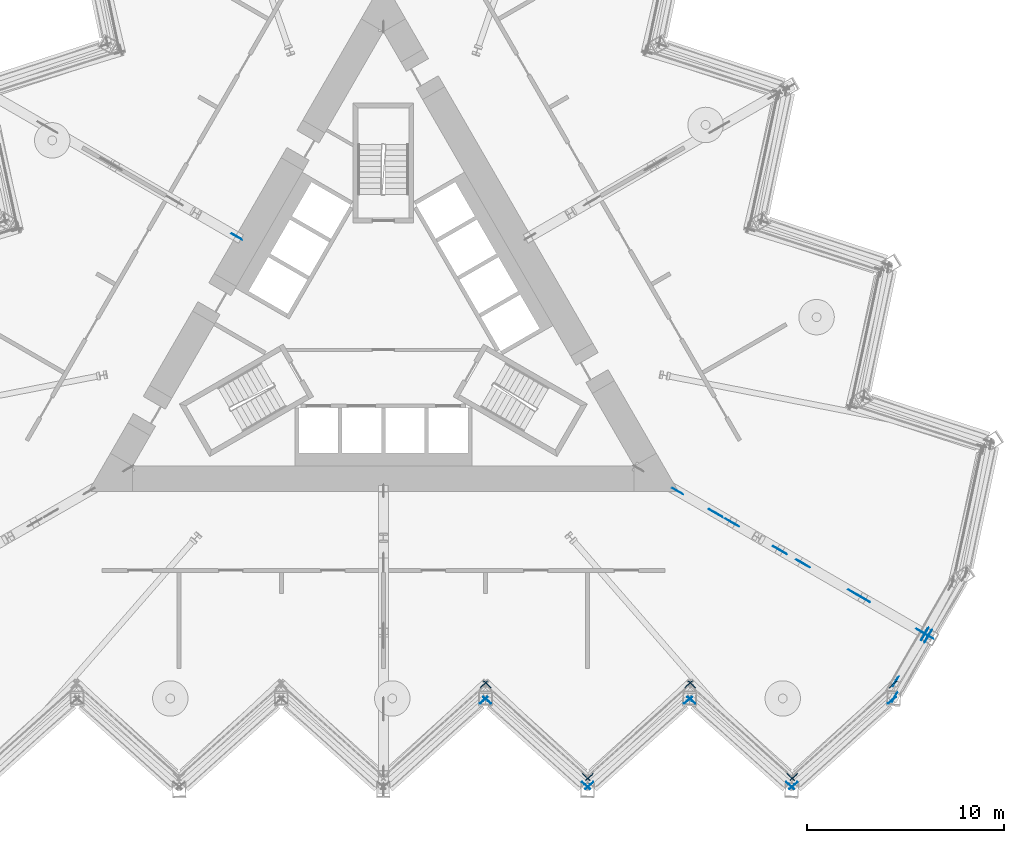
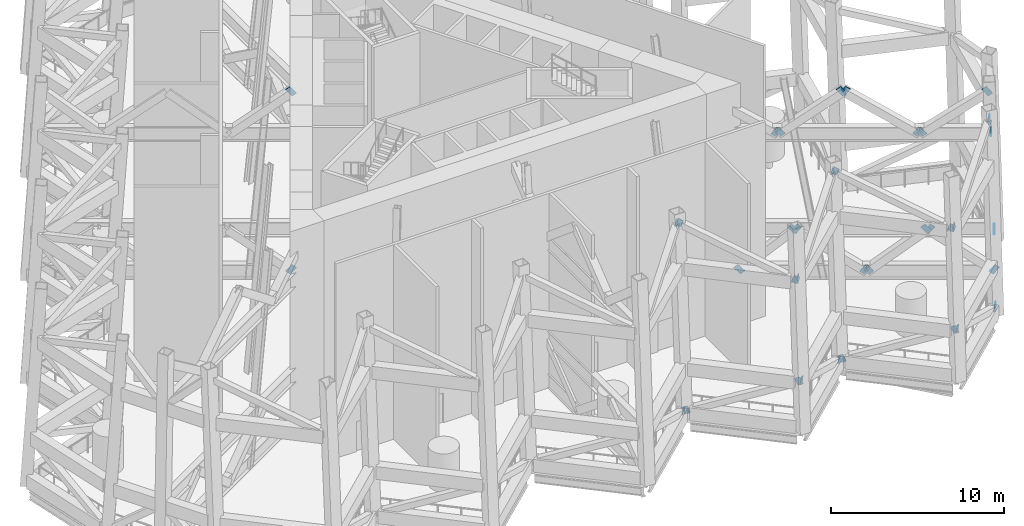
# One storey, part 12 of 19: 41 discrete accessories.
"""IFC4 building model written with IfcOpenShell, lengths in metres."""

from ifc_helpers import new_model, si_unit, direction, frame, origin, origin_2d, place, context, subcontext, project, spatial, rectangle, extrude, material, material_profile, profile_set, type_object, element, save


model = new_model("IFC4")

# Units and contexts
model_context = context("Model", 3, precision=1e-05, world=origin(), true_north=direction((0.0, 1.0)))
body_context = subcontext(model_context, "Body", "Model", "MODEL_VIEW")
ifc_project = project(units=[si_unit("LENGTHUNIT", "METRE"), si_unit("AREAUNIT", "SQUARE_METRE"), si_unit("VOLUMEUNIT", "CUBIC_METRE"), si_unit("PLANEANGLEUNIT", "RADIAN"), si_unit("MASSUNIT", "GRAM", prefix="KILO")], contexts=[model_context])

# Site, building, storey
site_placement = place(None, origin())
site = spatial("IfcSite", under=ifc_project, at=site_placement, CompositionType="ELEMENT")
building_placement = place(site_placement, origin())
building = spatial("IfcBuilding", under=site, at=building_placement, Name="Cormorant Prow Tower", CompositionType="ELEMENT")
storey_placement = place(building_placement, frame((0.0, 0.0, 287.800048828125)))
storey = spatial("IfcBuildingStorey", under=building, at=storey_placement, Name="L64", CompositionType="ELEMENT", Elevation=287.800048828125)

# Discrete accessories
ifc_material_1 = material(Name="Structural steel ASTM A500 Gr C", Category="steel")
ifc_material_profile_1 = material_profile(ifc_material_1, rectangle(XDim=0.031982421875, YDim=0.506103515625, at=origin_2d()), Name="Gusset plate 32x506")
ifc_profile_set_1 = profile_set([ifc_material_profile_1], Name="Structural steel ASTM A500 Gr C")
discrete_accessory_type_1 = type_object("IfcDiscreteAccessoryType", Name="Gusset plate 32x506", PredefinedType="BRACKET", material=ifc_profile_set_1)
for number, where, z_axis, x_axis, name in (
    (1, (4.980712890625, -19.366455078125, 0.5703125), (0.69306171568, 0.59883882382, -0.401319724588), (-0.653798404292, 0.756668782589, 0.0), "Gusset plate GP2 L64.S05.g0"),
    (2, (4.996826171875, -18.5634765625, 13.133544921875), (0.67265693532, 0.630092544184, 0.387963958545), (-0.683638869722, 0.729820454499, 0.0), "Gusset plate GP2 L64.S05.t1.g1"),
):
    element("IfcDiscreteAccessory", number, at=place(storey_placement, frame(where, z_axis=z_axis, x_axis=x_axis)), inside=storey, type_object=discrete_accessory_type_1, Name=name, PredefinedType="BRACKET", context=body_context, shape_type="SweptSolid", body=[
        extrude(rectangle(XDim=0.031982421875, YDim=0.506103515625, at=origin_2d()), origin(), (0.0, 0.0, 1.0), 0.349853515625),
    ])
discrete_accessory_1_placement = place(storey_placement, frame((5.396728515625, -19.366455078125, 0.570068359375), z_axis=(-0.693979928675, 0.59842691337, -0.40034621011), x_axis=(-0.653045010235, -0.757319096951, 0.0)))
element("IfcDiscreteAccessory", 3, at=discrete_accessory_1_placement, inside=storey, type_object=discrete_accessory_type_1, Name="Gusset plate GP2 L64.S06.g0", PredefinedType="BRACKET", context=body_context, shape_type="SweptSolid", body=[
    extrude(rectangle(XDim=0.031982421875, YDim=0.506103515625, at=origin_2d()), origin(), (0.0, 0.0, 1.0), 0.35009765625),
])
discrete_accessory_2_placement = place(storey_placement, frame((10.173828125, -23.49072265625, 3.329833984375), z_axis=(0.693618104691, -0.598716633627, 0.400540032286), x_axis=(0.653421571001, 0.75699422095, 0.0)))
element("IfcDiscreteAccessory", 4, at=discrete_accessory_2_placement, inside=storey, type_object=discrete_accessory_type_1, Name="Gusset plate GP2 L64.S06.g1", PredefinedType="BRACKET", context=body_context, shape_type="SweptSolid", body=[
    extrude(rectangle(XDim=0.031982421875, YDim=0.506103515625, at=origin_2d()), origin(), (0.0, 0.0, 1.0), 0.349853515625),
])
discrete_accessory_3_placement = place(storey_placement, frame((10.190673828125, -23.054443359375, 10.366455078125), z_axis=(0.672474749108, -0.629921886353, -0.388556468105), x_axis=(0.683638869722, 0.729820454499, 0.0)))
element("IfcDiscreteAccessory", 5, at=discrete_accessory_3_placement, inside=storey, type_object=discrete_accessory_type_1, Name="Gusset plate GP2 L64.S06.t1.g0", PredefinedType="BRACKET", context=body_context, shape_type="SweptSolid", body=[
    extrude(rectangle(XDim=0.031982421875, YDim=0.506103515625, at=origin_2d()), origin(), (0.0, 0.0, 1.0), 0.35009765625),
])
for number, where, z_axis, x_axis, name in (
    (6, (5.400146484375, -18.5634765625, 13.133544921875), (-0.67265693532, 0.630092544184, 0.387963958545), (-0.683638869722, -0.729820454499, 0.0), "Gusset plate GP2 L64.S06.t1.g1"),
    (7, (15.35791015625, -19.36669921875, 0.5703125), (0.692772057898, 0.599286201143, -0.401151997272), (-0.654234361315, 0.756291875187, 0.0), "Gusset plate GP2 L64.S07.g0"),
    (8, (10.589599609375, -23.490478515625, 3.32958984375), (-0.692772057898, -0.599286201143, 0.401151997272), (0.654234361315, -0.756291875187, 0.0), "Gusset plate GP2 L64.S07.g1"),
):
    element("IfcDiscreteAccessory", number, at=place(storey_placement, frame(where, z_axis=z_axis, x_axis=x_axis)), inside=storey, type_object=discrete_accessory_type_1, Name=name, PredefinedType="BRACKET", context=body_context, shape_type="SweptSolid", body=[
        extrude(rectangle(XDim=0.031982421875, YDim=0.506103515625, at=origin_2d()), origin(), (0.0, 0.0, 1.0), 0.349853515625),
    ])
discrete_accessory_4_placement = place(storey_placement, frame((10.59423828125, -23.0546875, 10.366455078125), z_axis=(-0.673152027664, -0.629205314977, -0.388544745501), x_axis=(0.682857528904, -0.730551569171, 0.0)))
element("IfcDiscreteAccessory", 9, at=discrete_accessory_4_placement, inside=storey, type_object=discrete_accessory_type_1, Name="Gusset plate GP2 L64.S07.t1.g0", PredefinedType="BRACKET", context=body_context, shape_type="SweptSolid", body=[
    extrude(rectangle(XDim=0.031982421875, YDim=0.506103515625, at=origin_2d()), origin(), (0.0, 0.0, 1.0), 0.35009765625),
])
discrete_accessory_5_placement = place(storey_placement, frame((15.3935546875, -18.563232421875, 13.133544921875), z_axis=(0.673334386355, 0.629375768386, 0.387952247475), x_axis=(-0.682857528904, 0.730551569171, 0.0)))
element("IfcDiscreteAccessory", 10, at=discrete_accessory_5_placement, inside=storey, type_object=discrete_accessory_type_1, Name="Gusset plate GP2 L64.S07.t1.g1", PredefinedType="BRACKET", context=body_context, shape_type="SweptSolid", body=[
    extrude(rectangle(XDim=0.031982421875, YDim=0.506103515625, at=origin_2d()), origin(), (0.0, 0.0, 1.0), 0.349853515625),
])
for number, where, z_axis, x_axis, name in (
    (11, (15.77392578125, -19.366455078125, 0.570068359375), (-0.693979928675, 0.59842691337, -0.40034621011), (-0.653045010235, -0.757319096951, 0.0), "Gusset plate GP2 L64.S08.g0"),
    (12, (20.555419921875, -23.49072265625, 3.329833984375), (0.693979928675, -0.59842691337, 0.40034621011), (0.653045010235, 0.757319096951, 0.0), "Gusset plate GP2 L64.S08.g1"),
    (13, (20.5830078125, -23.054443359375, 10.366455078125), (0.672474749108, -0.629921886353, -0.388556468105), (0.683638869722, 0.729820454499, 0.0), "Gusset plate GP2 L64.S08.t1.g0"),
):
    element("IfcDiscreteAccessory", number, at=place(storey_placement, frame(where, z_axis=z_axis, x_axis=x_axis)), inside=storey, type_object=discrete_accessory_type_1, Name=name, PredefinedType="BRACKET", context=body_context, shape_type="SweptSolid", body=[
        extrude(rectangle(XDim=0.031982421875, YDim=0.506103515625, at=origin_2d()), origin(), (0.0, 0.0, 1.0), 0.35009765625),
    ])
discrete_accessory_6_placement = place(storey_placement, frame((15.797119140625, -18.5634765625, 13.13330078125), z_axis=(-0.672092356992, 0.630217443784, 0.388738777617), x_axis=(-0.684016717086, -0.72946633284, 0.0)))
element("IfcDiscreteAccessory", 14, at=discrete_accessory_6_placement, inside=storey, type_object=discrete_accessory_type_1, Name="Gusset plate GP2 L64.S08.t1.g1", PredefinedType="BRACKET", context=body_context, shape_type="SweptSolid", body=[
    extrude(rectangle(XDim=0.031982421875, YDim=0.506103515625, at=origin_2d()), origin(), (0.0, 0.0, 1.0), 0.349853515625),
])
for number, where, z_axis, x_axis, name in (
    (15, (25.735107421875, -19.36669921875, 0.5703125), (0.692482426225, 0.599733017677, -0.400984285075), (-0.654669667139, 0.755915092406, 0.0), "Gusset plate GP2 L64.S09.g0"),
    (16, (20.971435546875, -23.490478515625, 3.32958984375), (-0.692482426225, -0.599733017677, 0.400984285075), (0.654669667139, -0.755915092406, 0.0), "Gusset plate GP2 L64.S09.g1"),
):
    element("IfcDiscreteAccessory", number, at=place(storey_placement, frame(where, z_axis=z_axis, x_axis=x_axis)), inside=storey, type_object=discrete_accessory_type_1, Name=name, PredefinedType="BRACKET", context=body_context, shape_type="SweptSolid", body=[
        extrude(rectangle(XDim=0.031982421875, YDim=0.506103515625, at=origin_2d()), origin(), (0.0, 0.0, 1.0), 0.35009765625),
    ])
for number, where, z_axis, x_axis, name in (
    (17, (20.986572265625, -23.0546875, 10.3662109375), (-0.673334386355, -0.629375768386, -0.387952247475), (0.682857528904, -0.730551569171, 0.0), "Gusset plate GP2 L64.S09.t1.g0"),
    (18, (25.79052734375, -18.563232421875, 13.133544921875), (0.673334386355, 0.629375768386, 0.387952247475), (-0.682857528904, 0.730551569171, 0.0), "Gusset plate GP2 L64.S09.t1.g1"),
    (19, (26.053955078125, -18.983642578125, 0.640625), (-0.370440003742, -0.677395939047, -0.635538311505), (0.877377082979, -0.479801473802, 0.0), "Gusset plate GP2 L64.ESE00.g0"),
    (20, (27.58056640625, -16.19091796875, 3.25927734375), (0.370440003742, 0.677395939047, 0.635538311505), (-0.877377082979, 0.479801473802, 0.0), "Gusset plate GP2 L64.ESE00.g1"),
):
    element("IfcDiscreteAccessory", number, at=place(storey_placement, frame(where, z_axis=z_axis, x_axis=x_axis)), inside=storey, type_object=discrete_accessory_type_1, Name=name, PredefinedType="BRACKET", context=body_context, shape_type="SweptSolid", body=[
        extrude(rectangle(XDim=0.031982421875, YDim=0.506103515625, at=origin_2d()), origin(), (0.0, 0.0, 1.0), 0.349853515625),
    ])
discrete_accessory_7_placement = place(storey_placement, frame((27.41455078125, -16.0693359375, 10.465087890625), z_axis=(0.366086177924, 0.59340826174, -0.716831601725), x_axis=(-0.851074046663, 0.525045680961, 0.0)))
element("IfcDiscreteAccessory", 21, at=discrete_accessory_7_placement, inside=storey, type_object=discrete_accessory_type_1, Name="Gusset plate GP2 L64.ESE00.t1.g0", PredefinedType="BRACKET", context=body_context, shape_type="SweptSolid", body=[
    extrude(rectangle(XDim=0.031982421875, YDim=0.506103515625, at=origin_2d()), origin(), (0.0, 0.0, 1.0), 0.35009765625),
])
discrete_accessory_8_placement = place(storey_placement, frame((26.102294921875, -18.196533203125, 13.034912109375), z_axis=(-0.36623766487, -0.592956219313, 0.717128227592), x_axis=(0.850797997359, -0.525492880722, 0.0)))
element("IfcDiscreteAccessory", 22, at=discrete_accessory_8_placement, inside=storey, type_object=discrete_accessory_type_1, Name="Gusset plate GP2 L64.ESE00.t1.g1", PredefinedType="BRACKET", context=body_context, shape_type="SweptSolid", body=[
    extrude(rectangle(XDim=0.031982421875, YDim=0.506103515625, at=origin_2d()), origin(), (0.0, 0.0, 1.0), 0.349853515625),
])
for number, where, z_axis, x_axis, name in (
    (23, (27.81201171875, -15.789794921875, 3.25927734375), (-0.401063480674, -0.659836613422, 0.635424053729), (0.854529802845, -0.519402364309, 0.0), "Gusset plate GP2 L64.ESE01.g1"),
    (24, (27.623779296875, -15.70703125, 10.465087890625), (-0.33120480415, -0.613600479268, -0.716796923508), (0.879989000206, -0.474994062611, 0.0), "Gusset plate GP2 L64.ESE01.t1.g0"),
):
    element("IfcDiscreteAccessory", number, at=place(storey_placement, frame(where, z_axis=z_axis, x_axis=x_axis)), inside=storey, type_object=discrete_accessory_type_1, Name=name, PredefinedType="BRACKET", context=body_context, shape_type="SweptSolid", body=[
        extrude(rectangle(XDim=0.031982421875, YDim=0.506103515625, at=origin_2d()), origin(), (0.0, 0.0, 1.0), 0.35009765625),
    ])
ifc_material_2 = material(Name="Structural steel ASTM A500 Gr C", Category="steel")
ifc_material_profile_2 = material_profile(ifc_material_2, rectangle(XDim=0.031982421875, YDim=0.60791015625, at=origin_2d()), Name="Gusset plate 32x608")
ifc_profile_set_2 = profile_set([ifc_material_profile_2], Name="Structural steel ASTM A500 Gr C")
discrete_accessory_type_2 = type_object("IfcDiscreteAccessoryType", Name="Gusset plate 32x608", PredefinedType="BRACKET", material=ifc_profile_set_2)
for number, where, z_axis, x_axis, name in (
    (25, (-7.573974609375, 4.372802734375, 0.686279296875), (0.679175372225, -0.391885584385, -0.620601726161), (0.499773776046, 0.866155974855, 0.0), "Gusset plate GP1 L64.03.1.g0"),
    (26, (-7.5712890625, 4.371337890625, 13.010009765625), (0.670889592158, -0.387051687783, 0.632533118594), (0.49972245349, 0.866185586049, 0.0), "Gusset plate GP1 L64.03.1.t1.g0"),
    (27, (15.06201171875, -8.696044921875, 0.7021484375), (-0.639689517962, 0.369722404057, -0.673871400601), (-0.50040343364, -0.865792355939, 0.0), "Gusset plate GP1 L64.09.1.g0"),
):
    element("IfcDiscreteAccessory", number, at=place(storey_placement, frame(where, z_axis=z_axis, x_axis=x_axis)), inside=storey, type_object=discrete_accessory_type_2, Name=name, PredefinedType="BRACKET", context=body_context, shape_type="SweptSolid", body=[
        extrude(rectangle(XDim=0.031982421875, YDim=0.60791015625, at=origin_2d()), origin(), (0.0, 0.0, 1.0), 0.35009765625),
    ])
discrete_accessory_9_placement = place(storey_placement, frame((17.530029296875, -10.120849609375, 3.298095703125), z_axis=(0.639990283115, -0.369896237787, 0.673490319745), x_axis=(0.50040343364, 0.865792355939, 0.0)))
element("IfcDiscreteAccessory", 28, at=discrete_accessory_9_placement, inside=storey, type_object=discrete_accessory_type_2, Name="Gusset plate GP1 L64.09.1.g1", PredefinedType="BRACKET", context=body_context, shape_type="SweptSolid", body=[
    extrude(rectangle(XDim=0.031982421875, YDim=0.60791015625, at=origin_2d()), origin(), (0.0, 0.0, 1.0), 0.349853515625),
])
for number, where, z_axis, x_axis, name in (
    (29, (17.9326171875, -10.353515625, 3.324462890625), (-0.702173814992, 0.405824389598, 0.585028630366), (-0.500392188436, -0.86579885525, 0.0), "Gusset plate GP1 L64.09.2.g0"),
    (30, (21.112548828125, -12.189208984375, 0.675537109375), (0.702460261613, -0.40598994266, -0.584569711253), (0.500392188436, 0.86579885525, 0.0), "Gusset plate GP1 L64.09.2.g1"),
    (31, (21.52099609375, -12.425048828125, 0.69482421875), (-0.659221220334, 0.380185783156, -0.64875739144), (-0.499590185398, -0.866261881104, 0.0), "Gusset plate GP1 L64.09.3.g0"),
    (32, (24.173095703125, -13.956298828125, 3.305419921875), (0.659046295372, -0.380782303993, 0.648585243065), (0.500277597875, 0.865865073245, 0.0), "Gusset plate GP1 L64.09.3.g1"),
    (33, (24.577392578125, -14.189697265625, 3.318115234375), (-0.688349294507, 0.397526948196, 0.606751657772), (-0.500102178127, -0.865966403178, 0.0), "Gusset plate GP1 L64.09.4.g0"),
    (34, (27.56982421875, -15.91748046875, 0.68212890625), (0.688349294507, -0.397526948196, -0.606751657772), (0.500102178127, 0.865966403178, 0.0), "Gusset plate GP1 L64.09.4.g1"),
    (35, (16.667236328125, -9.622802734375, 10.36279296875), (0.726876879185, -0.419942304481, -0.543413712942), (0.500249908544, 0.865881070934, 0.0), "Gusset plate GP1 L64.09.1.t1.g1"),
    (36, (17.088623046875, -9.8662109375, 10.386474609375), (-0.678019984355, 0.391326348995, -0.622215870416), (-0.499876722092, -0.86609656662, 0.0), "Gusset plate GP1 L64.09.2.t1.g0"),
    (37, (19.94775390625, -11.516845703125, 13.012939453125), (0.6777257317, -0.391156517988, 0.622643084782), (0.499876722092, 0.86609656662, 0.0), "Gusset plate GP1 L64.09.2.t1.g1"),
    (38, (20.365966796875, -11.75830078125, 13.031005859375), (-0.715617253507, 0.413607243011, 0.562868541501), (-0.500404123441, -0.865791957252, 0.0), "Gusset plate GP1 L64.09.3.t1.g0"),
):
    element("IfcDiscreteAccessory", number, at=place(storey_placement, frame(where, z_axis=z_axis, x_axis=x_axis)), inside=storey, type_object=discrete_accessory_type_2, Name=name, PredefinedType="BRACKET", context=body_context, shape_type="SweptSolid", body=[
        extrude(rectangle(XDim=0.031982421875, YDim=0.60791015625, at=origin_2d()), origin(), (0.0, 0.0, 1.0), 0.35009765625),
    ])
discrete_accessory_10_placement = place(storey_placement, frame((23.756103515625, -13.715576171875, 10.368408203125), z_axis=(0.715898189732, -0.413769616483, -0.562391755287), x_axis=(0.500404123441, 0.865791957252, 0.0)))
element("IfcDiscreteAccessory", 39, at=discrete_accessory_10_placement, inside=storey, type_object=discrete_accessory_type_2, Name="Gusset plate GP1 L64.09.3.t1.g1", PredefinedType="BRACKET", context=body_context, shape_type="SweptSolid", body=[
    extrude(rectangle(XDim=0.031982421875, YDim=0.60791015625, at=origin_2d()), origin(), (0.0, 0.0, 1.0), 0.349853515625),
])
for number, where, z_axis, x_axis, name in (
    (40, (24.1787109375, -13.95947265625, 10.3798828125), (-0.692579266656, 0.399645437859, -0.600514349034), (-0.499797962495, -0.866142018774, 0.0), "Gusset plate GP1 L64.09.4.t1.g0"),
    (41, (27.224609375, -15.718017578125, 13.019775390625), (0.692675979203, -0.400398803688, 0.599900646641), (0.500451896662, 0.865764343876, 0.0), "Gusset plate GP1 L64.09.4.t1.g1"),
):
    element("IfcDiscreteAccessory", number, at=place(storey_placement, frame(where, z_axis=z_axis, x_axis=x_axis)), inside=storey, type_object=discrete_accessory_type_2, Name=name, PredefinedType="BRACKET", context=body_context, shape_type="SweptSolid", body=[
        extrude(rectangle(XDim=0.031982421875, YDim=0.60791015625, at=origin_2d()), origin(), (0.0, 0.0, 1.0), 0.35009765625),
    ])

save(model, "model.ifc")
